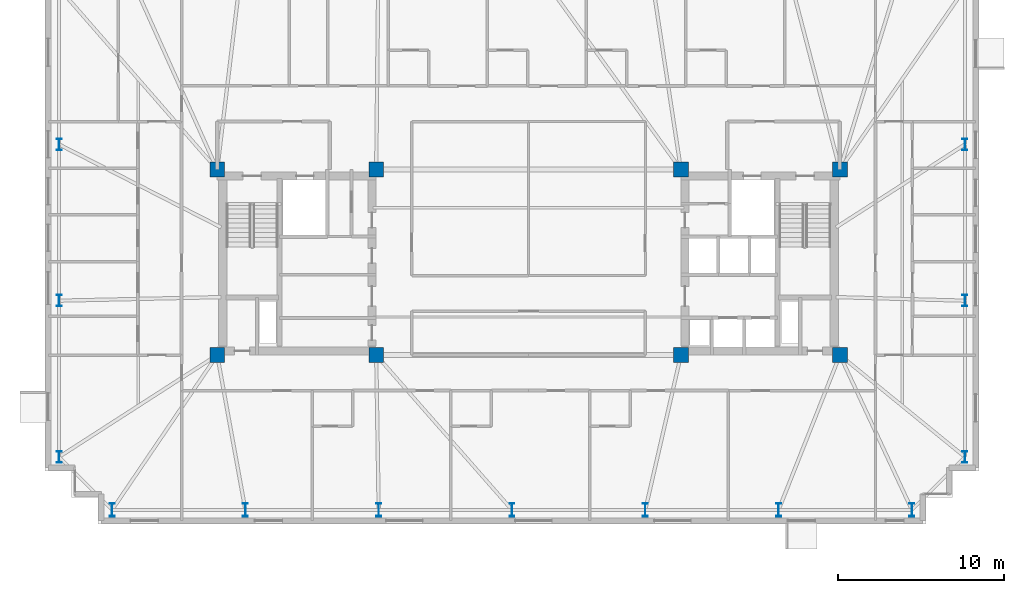
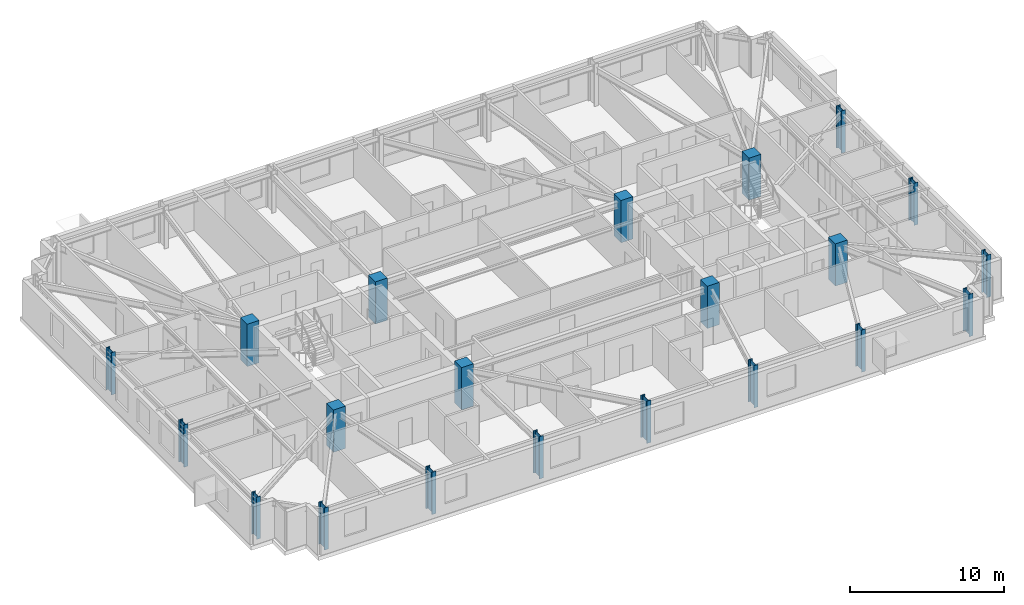
# One storey, part 1 of 18: 21 columns.
"""IFC4 building model written with IfcOpenShell, lengths in metres."""

import ifcopenshell
import ifcopenshell.guid

model = None  # the IFC model being written
_history = None  # IfcOwnerHistory: only IFC2X3 demands one
_inside = {}  # id of a spatial element -> (the spatial element, [elements in it])
_under = {}  # id of a project, library or spatial element -> (it, [spatial elements below it])
_declared = {}  # id of a project -> (the project, [libraries it declares])
_typed = {}  # id of a type object -> (the type object, [elements of that type])
_made_of = {}  # id of a material, layer set ... -> (it, [elements and type objects made of it])


def new_model(schema):
    """Start an empty IFC model of exactly this schema.

    Asked for "IFC4X3", IfcOpenShell would pick the latest addendum, in which some entities
    have other attributes; the version numbers below select the first issue.
    IFC2X3 requires an IfcOwnerHistory on every rooted entity: one is made here for all.
    """
    global model, _history
    if schema == "IFC4X3":
        model = ifcopenshell.file(schema_version=(4, 3, 0, 0))
    else:
        model = ifcopenshell.file(schema=schema)
    _inside.clear()
    _under.clear()
    _declared.clear()
    _typed.clear()
    _made_of.clear()
    _history = None
    if model.schema == "IFC2X3":
        org = make("IfcOrganization", Name="unknown")
        user = make(
            "IfcPersonAndOrganization",
            ThePerson=make("IfcPerson", FamilyName="unknown"),
            TheOrganization=org,
        )
        app = make(
            "IfcApplication",
            ApplicationDeveloper=org,
            Version="unknown",
            ApplicationFullName="unknown",
            ApplicationIdentifier="unknown",
        )
        _history = make(
            "IfcOwnerHistory",
            OwningUser=user,
            OwningApplication=app,
            ChangeAction="ADDED",
            CreationDate=0,
        )
    return model


def make(cls, **values):
    """One entity of the class cls with the attributes given. An attribute that is None is left unset."""
    return model.create_entity(
        cls, **{name: value for name, value in values.items() if value is not None}
    )


def rooted(cls, **values):
    """An entity with a GlobalId (a new one), such as an element, a storey or a relation."""
    return make(cls, GlobalId=ifcopenshell.guid.new(), OwnerHistory=_history, **values)


def si_unit(unit_type, name, prefix=None):
    """IfcSIUnit, for example si_unit("LENGTHUNIT", "METRE", prefix="MILLI")."""
    return make("IfcSIUnit", UnitType=unit_type, Prefix=prefix, Name=name)


def assignment(units):
    """IfcUnitAssignment: the units of a project."""
    return None if units is None else make("IfcUnitAssignment", Units=units)


def point(xyz):
    """IfcCartesianPoint."""
    return None if xyz is None else make("IfcCartesianPoint", Coordinates=xyz)


def direction(xyz):
    """IfcDirection."""
    return None if xyz is None else make("IfcDirection", DirectionRatios=xyz)


def frame(location, z_axis=None, x_axis=None):
    """IfcAxis2Placement3D, a coordinate frame: its origin and axes. An axis left out is left unset."""
    return make(
        "IfcAxis2Placement3D",
        Location=point(location),
        Axis=direction(z_axis),
        RefDirection=direction(x_axis),
    )


def frame_2d(location, x_axis=None):
    """IfcAxis2Placement2D, a coordinate frame in the plane: its origin and x axis."""
    return make(
        "IfcAxis2Placement2D", Location=point(location), RefDirection=direction(x_axis)
    )


def origin():
    """The frame at (0, 0, 0) with its axes left unset."""
    return frame((0.0, 0.0, 0.0))


def origin_2d():
    """The frame at (0, 0) in the plane with its x axis left unset."""
    return frame_2d((0.0, 0.0))


def place(relative_to, where):
    """IfcLocalPlacement: puts the frame where relative to a parent placement (None: the world)."""
    return make(
        "IfcLocalPlacement", PlacementRelTo=relative_to, RelativePlacement=where
    )


def context(
    kind, dimensions, precision=None, world=None, true_north=None, identifier=None
):
    """IfcGeometricRepresentationContext, for example the 3D "Model" context."""
    return make(
        "IfcGeometricRepresentationContext",
        ContextIdentifier=identifier,
        ContextType=kind,
        CoordinateSpaceDimension=dimensions,
        Precision=precision,
        WorldCoordinateSystem=world,
        TrueNorth=true_north,
    )


def subcontext(parent, identifier, kind, view, scale=None):
    """IfcGeometricRepresentationSubContext, for example "Body" below "Model"."""
    return make(
        "IfcGeometricRepresentationSubContext",
        ContextIdentifier=identifier,
        ContextType=kind,
        ParentContext=parent,
        TargetScale=scale,
        TargetView=view,
    )


def project(units=None, contexts=None):
    """IfcProject with its units and contexts."""
    return rooted(
        "IfcProject",
        Name="project",
        RepresentationContexts=contexts,
        UnitsInContext=assignment(units),
    )


def spatial(cls, under=None, at=None, **own):
    """A site, building, storey or space (cls), placed at a placement, below another one or the project."""
    s = rooted(cls, ObjectPlacement=at, **own)
    if under is not None:
        _under.setdefault(under.id(), (under, []))[1].append(s)
    return s


def profile(cls, at=None, kind="AREA", **sizes):
    """A parametric profile (cls). Its sizes go by their IFC names, for example OverallWidth=200.0."""
    return make(cls, ProfileType=kind, Position=at, **sizes)


def rectangle(**sizes):
    """IfcRectangleProfileDef."""
    return profile("IfcRectangleProfileDef", **sizes)


def i_section(**sizes):
    """IfcIShapeProfileDef."""
    return profile("IfcIShapeProfileDef", **sizes)


def extrude(swept, where, along, depth):
    """IfcExtrudedAreaSolid: the profile swept, set in the frame where, extruded along a direction by depth."""
    return make(
        "IfcExtrudedAreaSolid",
        SweptArea=swept,
        Position=where,
        ExtrudedDirection=direction(along),
        Depth=depth,
    )


def shape(context_of_items, identifier, shape_type, items):
    """IfcShapeRepresentation: the items that make up one representation, for example the "Body"."""
    return make(
        "IfcShapeRepresentation",
        ContextOfItems=context_of_items,
        RepresentationIdentifier=identifier,
        RepresentationType=shape_type,
        Items=items,
    )


def material(Name=None, Category=None):
    """IfcMaterial."""
    return make("IfcMaterial", Name=Name, Category=Category)


def material_profile(
    of_material, cross_section, Name=None, Category=None, Priority=None
):
    """IfcMaterialProfile: a cross section and its material."""
    return make(
        "IfcMaterialProfile",
        Name=Name,
        Material=of_material,
        Profile=cross_section,
        Priority=Priority,
        Category=Category,
    )


def profile_set(profiles, Name=None, composite=None):
    """IfcMaterialProfileSet."""
    return make(
        "IfcMaterialProfileSet",
        Name=Name,
        MaterialProfiles=profiles,
        CompositeProfile=composite,
    )


def made_of(thing, what):
    """Note that an element or type object is made of a material, layer set ...; save() writes the relation."""
    if what is not None:
        _made_of.setdefault(what.id(), (what, []))[1].append(thing)
    return thing


def type_object(cls, material=None, **own):
    """A type object (cls), such as IfcWallType, which elements share."""
    return made_of(rooted(cls, **own), material)


def element(
    cls,
    number,
    at=None,
    inside=None,
    cuts=None,
    type_object=None,
    material=None,
    context=None,
    identifier="Body",
    shape_type=None,
    held_by="IfcProductDefinitionShape",
    body=None,
    shapes=None,
    **own,
):
    """One element of the class cls, such as IfcWall. Its Tag is "e" and its number.

    at: its placement. inside: the storey or other place that contains it. cuts: it is an
    opening in that element (IfcRelVoidsElement). A single representation is given by context,
    identifier, shape_type and body (its items); several are given by shapes. held_by: the class
    of the entity that holds the representations. save() writes the other relations.
    """
    e = rooted(cls, Tag="e%d" % number, ObjectPlacement=at, **own)
    if body is not None:
        shapes = [shape(context, identifier, shape_type, body)]
    if shapes is not None:
        e.Representation = make(held_by, Representations=shapes)
    if inside is not None:
        _inside.setdefault(inside.id(), (inside, []))[1].append(e)
    if cuts is not None:
        rooted(
            "IfcRelVoidsElement", RelatingBuildingElement=cuts, RelatedOpeningElement=e
        )
    if type_object is not None:
        _typed.setdefault(type_object.id(), (type_object, []))[1].append(e)
    return made_of(e, material)


def aggregate(whole, parts):
    """IfcRelAggregates: a whole, such as a stair, and the parts it consists of."""
    return rooted("IfcRelAggregates", RelatingObject=whole, RelatedObjects=parts)


def save(model, path):
    """Write the relations noted so far, then the file.

    IfcRelAggregates (storeys below a building ...), IfcRelContainedInSpatialStructure (elements
    in a storey), IfcRelDefinesByType, IfcRelAssociatesMaterial and IfcRelDeclares: one each for
    every whole, place, type object, material and project.
    """
    for whole, parts in _under.values():
        aggregate(whole, parts)
    for where, things in _inside.values():
        rooted(
            "IfcRelContainedInSpatialStructure",
            RelatedElements=things,
            RelatingStructure=where,
        )
    for kind, things in _typed.values():
        rooted("IfcRelDefinesByType", RelatedObjects=things, RelatingType=kind)
    for what, things in _made_of.values():
        rooted("IfcRelAssociatesMaterial", RelatedObjects=things, RelatingMaterial=what)
    for by, libraries in _declared.values():
        rooted("IfcRelDeclares", RelatingContext=by, RelatedDefinitions=libraries)
    model.write(path)


model = new_model("IFC4")

# Units and contexts
model_context = context("Model", 3, precision=1e-05, world=origin(), true_north=direction((0.0, 1.0)))
body_context = subcontext(model_context, "Body", "Model", "MODEL_VIEW")
ifc_project = project(units=[si_unit("LENGTHUNIT", "METRE"), si_unit("AREAUNIT", "SQUARE_METRE"), si_unit("VOLUMEUNIT", "CUBIC_METRE"), si_unit("PLANEANGLEUNIT", "RADIAN"), si_unit("MASSUNIT", "GRAM", prefix="KILO")], contexts=[model_context])

# Site, building, storey
site_placement = place(None, origin())
site = spatial("IfcSite", under=ifc_project, at=site_placement, CompositionType="ELEMENT")
building_placement = place(site_placement, origin())
building = spatial("IfcBuilding", under=site, at=building_placement, Name="Qobustan Lattice House", CompositionType="ELEMENT")
storey_placement = place(building_placement, frame((0.0, 0.0, 134.35009765625)))
storey = spatial("IfcBuildingStorey", under=building, at=storey_placement, Name="L37", CompositionType="ELEMENT", Elevation=134.35009765625)

# Columns
ifc_material_1 = material(Name="Concrete C50/60", Category="concrete")
ifc_material_profile_1 = material_profile(ifc_material_1, rectangle(XDim=0.89990234375, YDim=0.89990234375, at=origin_2d()), Name="RC900x900")
ifc_profile_set_1 = profile_set([ifc_material_profile_1], Name="Concrete C50/60")
column_type_1 = type_object("IfcColumnType", Name="COL-RC-900", PredefinedType="COLUMN", material=ifc_profile_set_1)
for number, where, z_axis, x_axis, name in (
    (1, (-18.800048828125, -5.60009765625, 0.0), (0.0, 0.0, 1.0), (1.0, 0.0, 0.0), "L37 core mega-column CW-SW"),
    (2, (-18.800048828125, 5.60009765625, 0.0), (0.0, 0.0, 1.0), (1.0, 0.0, 0.0), "L37 core mega-column CW-NW"),
    (3, (-9.199951171875, -5.60009765625, 0.0), (0.0, 0.0, 1.0), (1.0, 0.0, 0.0), "L37 core mega-column CW-SE"),
    (4, (-9.199951171875, 5.60009765625, 0.0), (0.0, 0.0, 1.0), (1.0, 0.0, 0.0), "L37 core mega-column CW-NE"),
    (5, (9.199951171875, -5.60009765625, 0.0), (0.0, 0.0, 1.0), (1.0, 0.0, 0.0), "L37 core mega-column CE-SW"),
    (6, (9.199951171875, 5.60009765625, 0.0), (0.0, 0.0, 1.0), (1.0, 0.0, 0.0), "L37 core mega-column CE-NW"),
    (7, (18.800048828125, -5.60009765625, 0.0), (0.0, 0.0, 1.0), (1.0, 0.0, 0.0), "L37 core mega-column CE-SE"),
    (8, (18.800048828125, 5.60009765625, 0.0), (0.0, 0.0, 1.0), (1.0, 0.0, 0.0), "L37 core mega-column CE-NE"),
):
    element("IfcColumn", number, at=place(storey_placement, frame(where, z_axis=z_axis, x_axis=x_axis)), inside=storey, type_object=column_type_1, Name=name, PredefinedType="COLUMN", context=body_context, shape_type="SweptSolid", body=[
        extrude(rectangle(XDim=0.89990234375, YDim=0.89990234375, at=origin_2d()), origin(), (0.0, 0.0, 1.0), 3.349853515625),
    ])
ifc_material_2 = material(Name="Steel S355", Category="steel")
ifc_material_profile_2 = material_profile(ifc_material_2, i_section(OverallWidth=0.300048828125, OverallDepth=0.699951171875, WebThickness=0.01708984375, FlangeThickness=0.031982421875, FilletRadius=0.027099609375, at=origin_2d()), Name="HEB700")
ifc_profile_set_2 = profile_set([ifc_material_profile_2], Name="Steel S355")
column_type_2 = type_object("IfcColumnType", Name="COL-ST-HEB700", PredefinedType="COLUMN", material=ifc_profile_set_2)
for number, where, z_axis, x_axis, name in (
    (9, (26.35009765625, -11.75, 0.0), (0.0, 0.0, 1.0), (1.0, 0.0, 0.0), "L37 B3 perimeter column E1"),
    (10, (26.35009765625, -2.316650390625, 0.0), (0.0, 0.0, 1.0), (1.0, 0.0, 0.0), "L37 B3 perimeter column E2"),
    (11, (26.35009765625, 7.11669921875, 0.0), (0.0, 0.0, 1.0), (1.0, 0.0, 0.0), "L37 B3 perimeter column E3"),
    (12, (-28.35009765625, 7.11669921875, 0.0), (0.0, 0.0, 1.0), (1.0, 0.0, 0.0), "L37 B3 perimeter column W2"),
    (13, (-28.35009765625, -2.316650390625, 0.0), (0.0, 0.0, 1.0), (1.0, 0.0, 0.0), "L37 B3 perimeter column W3"),
    (14, (-28.35009765625, -11.75, 0.0), (0.0, 0.0, 1.0), (1.0, 0.0, 0.0), "L37 B3 perimeter column W4"),
):
    element("IfcColumn", number, at=place(storey_placement, frame(where, z_axis=z_axis, x_axis=x_axis)), inside=storey, type_object=column_type_2, Name=name, PredefinedType="COLUMN", context=body_context, shape_type="SweptSolid", body=[
        extrude(i_section(OverallWidth=0.300048828125, OverallDepth=0.699951171875, WebThickness=0.01708984375, FlangeThickness=0.031982421875, FilletRadius=0.027099609375, at=origin_2d()), origin(), (0.0, 0.0, 1.0), 3.349853515625),
    ])
ifc_material_3 = material(Name="Steel S355", Category="steel")
ifc_material_profile_3 = material_profile(ifc_material_3, i_section(OverallWidth=0.300048828125, OverallDepth=0.800048828125, WebThickness=0.017578125, FlangeThickness=0.032958984375, FilletRadius=0.030029296875, at=origin_2d()), Name="HEB800")
ifc_profile_set_3 = profile_set([ifc_material_profile_3], Name="Steel S355")
column_type_3 = type_object("IfcColumnType", Name="COL-ST-HEB800", PredefinedType="COLUMN", material=ifc_profile_set_3)
for number, where, z_axis, x_axis, name in (
    (15, (-25.14990234375, -14.949951171875, 0.0), (0.0, 0.0, 1.0), (1.0, 0.0, 0.0), "L37 B3 perimeter column S1"),
    (16, (-17.10009765625, -14.949951171875, 0.0), (0.0, 0.0, 1.0), (1.0, 0.0, 0.0), "L37 B3 perimeter column S2"),
    (17, (-9.050048828125, -14.949951171875, 0.0), (0.0, 0.0, 1.0), (1.0, 0.0, 0.0), "L37 B3 perimeter column S3"),
    (18, (-1.0, -14.949951171875, 0.0), (0.0, 0.0, 1.0), (1.0, 0.0, 0.0), "L37 B3 perimeter column S4"),
    (19, (7.050048828125, -14.949951171875, 0.0), (0.0, 0.0, 1.0), (1.0, 0.0, 0.0), "L37 B3 perimeter column S5"),
    (20, (15.10009765625, -14.949951171875, 0.0), (0.0, 0.0, 1.0), (1.0, 0.0, 0.0), "L37 B3 perimeter column S6"),
    (21, (23.14990234375, -14.949951171875, 0.0), (0.0, 0.0, 1.0), (1.0, 0.0, 0.0), "L37 B3 perimeter column S7"),
):
    element("IfcColumn", number, at=place(storey_placement, frame(where, z_axis=z_axis, x_axis=x_axis)), inside=storey, type_object=column_type_3, Name=name, PredefinedType="COLUMN", context=body_context, shape_type="SweptSolid", body=[
        extrude(i_section(OverallWidth=0.300048828125, OverallDepth=0.800048828125, WebThickness=0.017578125, FlangeThickness=0.032958984375, FilletRadius=0.030029296875, at=origin_2d()), origin(), (0.0, 0.0, 1.0), 3.349853515625),
    ])

save(model, "model.ifc")
